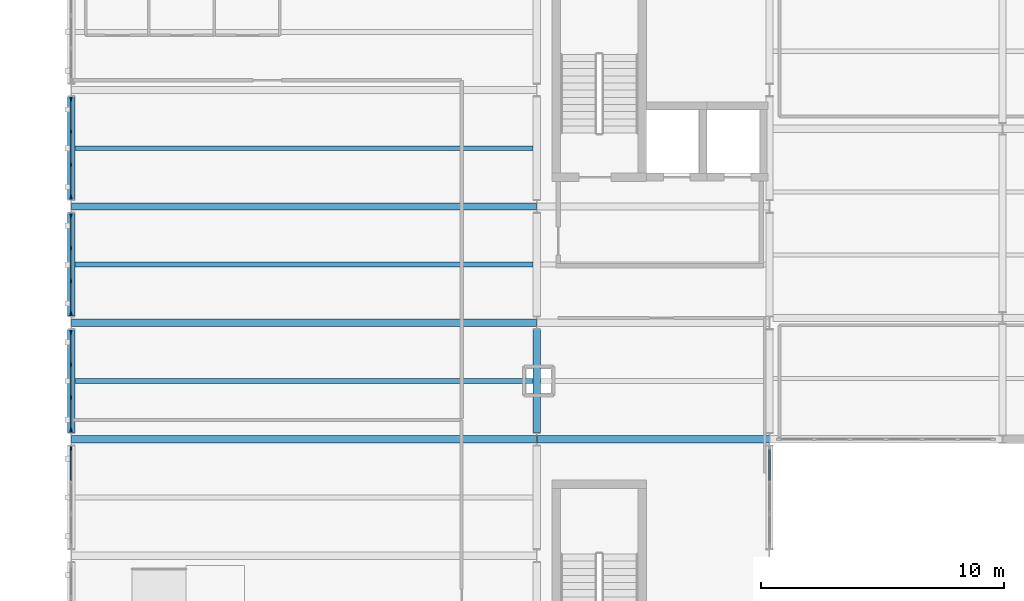
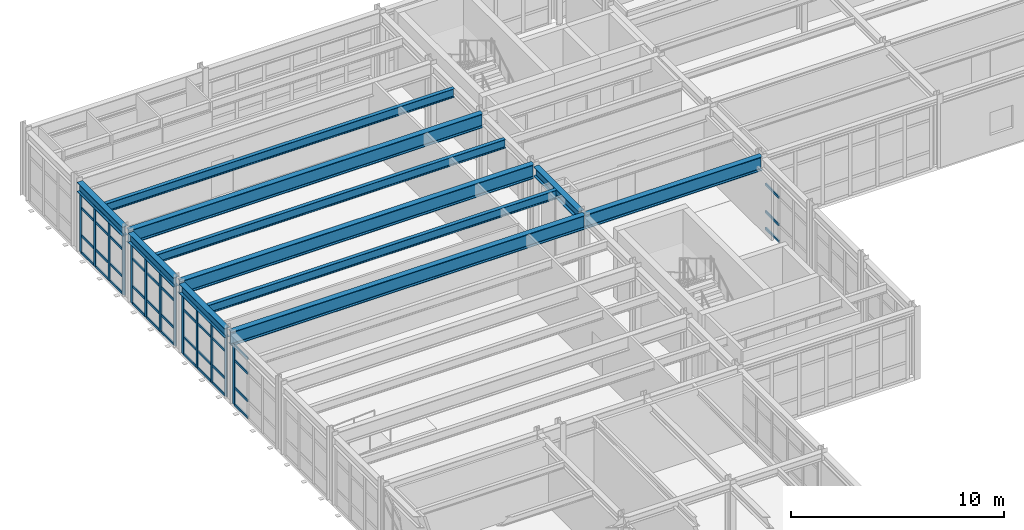
# One storey, part 30 of 76: 56 members, 11 beams, 5 elements without a shape of their own.
"""IFC4 building model written with IfcOpenShell, lengths in metres."""

import ifcopenshell
import ifcopenshell.guid

model = None  # the IFC model being written
_history = None  # IfcOwnerHistory: only IFC2X3 demands one
_inside = {}  # id of a spatial element -> (the spatial element, [elements in it])
_under = {}  # id of a project, library or spatial element -> (it, [spatial elements below it])
_declared = {}  # id of a project -> (the project, [libraries it declares])
_typed = {}  # id of a type object -> (the type object, [elements of that type])
_made_of = {}  # id of a material, layer set ... -> (it, [elements and type objects made of it])


def new_model(schema):
    """Start an empty IFC model of exactly this schema.

    Asked for "IFC4X3", IfcOpenShell would pick the latest addendum, in which some entities
    have other attributes; the version numbers below select the first issue.
    IFC2X3 requires an IfcOwnerHistory on every rooted entity: one is made here for all.
    """
    global model, _history
    if schema == "IFC4X3":
        model = ifcopenshell.file(schema_version=(4, 3, 0, 0))
    else:
        model = ifcopenshell.file(schema=schema)
    _inside.clear()
    _under.clear()
    _declared.clear()
    _typed.clear()
    _made_of.clear()
    _history = None
    if model.schema == "IFC2X3":
        org = make("IfcOrganization", Name="unknown")
        user = make(
            "IfcPersonAndOrganization",
            ThePerson=make("IfcPerson", FamilyName="unknown"),
            TheOrganization=org,
        )
        app = make(
            "IfcApplication",
            ApplicationDeveloper=org,
            Version="unknown",
            ApplicationFullName="unknown",
            ApplicationIdentifier="unknown",
        )
        _history = make(
            "IfcOwnerHistory",
            OwningUser=user,
            OwningApplication=app,
            ChangeAction="ADDED",
            CreationDate=0,
        )
    return model


def make(cls, **values):
    """One entity of the class cls with the attributes given. An attribute that is None is left unset."""
    return model.create_entity(
        cls, **{name: value for name, value in values.items() if value is not None}
    )


def rooted(cls, **values):
    """An entity with a GlobalId (a new one), such as an element, a storey or a relation."""
    return make(cls, GlobalId=ifcopenshell.guid.new(), OwnerHistory=_history, **values)


def si_unit(unit_type, name, prefix=None):
    """IfcSIUnit, for example si_unit("LENGTHUNIT", "METRE", prefix="MILLI")."""
    return make("IfcSIUnit", UnitType=unit_type, Prefix=prefix, Name=name)


def assignment(units):
    """IfcUnitAssignment: the units of a project."""
    return None if units is None else make("IfcUnitAssignment", Units=units)


def point(xyz):
    """IfcCartesianPoint."""
    return None if xyz is None else make("IfcCartesianPoint", Coordinates=xyz)


def direction(xyz):
    """IfcDirection."""
    return None if xyz is None else make("IfcDirection", DirectionRatios=xyz)


def frame(location, z_axis=None, x_axis=None):
    """IfcAxis2Placement3D, a coordinate frame: its origin and axes. An axis left out is left unset."""
    return make(
        "IfcAxis2Placement3D",
        Location=point(location),
        Axis=direction(z_axis),
        RefDirection=direction(x_axis),
    )


def frame_2d(location, x_axis=None):
    """IfcAxis2Placement2D, a coordinate frame in the plane: its origin and x axis."""
    return make(
        "IfcAxis2Placement2D", Location=point(location), RefDirection=direction(x_axis)
    )


def origin():
    """The frame at (0, 0, 0) with its axes left unset."""
    return frame((0.0, 0.0, 0.0))


def origin_2d():
    """The frame at (0, 0) in the plane with its x axis left unset."""
    return frame_2d((0.0, 0.0))


def place(relative_to, where):
    """IfcLocalPlacement: puts the frame where relative to a parent placement (None: the world)."""
    return make(
        "IfcLocalPlacement", PlacementRelTo=relative_to, RelativePlacement=where
    )


def context(
    kind, dimensions, precision=None, world=None, true_north=None, identifier=None
):
    """IfcGeometricRepresentationContext, for example the 3D "Model" context."""
    return make(
        "IfcGeometricRepresentationContext",
        ContextIdentifier=identifier,
        ContextType=kind,
        CoordinateSpaceDimension=dimensions,
        Precision=precision,
        WorldCoordinateSystem=world,
        TrueNorth=true_north,
    )


def subcontext(parent, identifier, kind, view, scale=None):
    """IfcGeometricRepresentationSubContext, for example "Body" below "Model"."""
    return make(
        "IfcGeometricRepresentationSubContext",
        ContextIdentifier=identifier,
        ContextType=kind,
        ParentContext=parent,
        TargetScale=scale,
        TargetView=view,
    )


def project(units=None, contexts=None):
    """IfcProject with its units and contexts."""
    return rooted(
        "IfcProject",
        Name="project",
        RepresentationContexts=contexts,
        UnitsInContext=assignment(units),
    )


def spatial(cls, under=None, at=None, **own):
    """A site, building, storey or space (cls), placed at a placement, below another one or the project."""
    s = rooted(cls, ObjectPlacement=at, **own)
    if under is not None:
        _under.setdefault(under.id(), (under, []))[1].append(s)
    return s


def profile(cls, at=None, kind="AREA", **sizes):
    """A parametric profile (cls). Its sizes go by their IFC names, for example OverallWidth=200.0."""
    return make(cls, ProfileType=kind, Position=at, **sizes)


def rectangle(**sizes):
    """IfcRectangleProfileDef."""
    return profile("IfcRectangleProfileDef", **sizes)


def i_section(**sizes):
    """IfcIShapeProfileDef."""
    return profile("IfcIShapeProfileDef", **sizes)


def extrude(swept, where, along, depth):
    """IfcExtrudedAreaSolid: the profile swept, set in the frame where, extruded along a direction by depth."""
    return make(
        "IfcExtrudedAreaSolid",
        SweptArea=swept,
        Position=where,
        ExtrudedDirection=direction(along),
        Depth=depth,
    )


def shape(context_of_items, identifier, shape_type, items):
    """IfcShapeRepresentation: the items that make up one representation, for example the "Body"."""
    return make(
        "IfcShapeRepresentation",
        ContextOfItems=context_of_items,
        RepresentationIdentifier=identifier,
        RepresentationType=shape_type,
        Items=items,
    )


def material(Name=None, Category=None):
    """IfcMaterial."""
    return make("IfcMaterial", Name=Name, Category=Category)


def layer(
    of_material, thickness, ventilated=None, Name=None, Category=None, Priority=None
):
    """IfcMaterialLayer: one layer of a wall or slab, of a material (None: an air gap)."""
    return make(
        "IfcMaterialLayer",
        Material=of_material,
        LayerThickness=thickness,
        IsVentilated=ventilated,
        Name=Name,
        Category=Category,
        Priority=Priority,
    )


def layer_set(layers, Name=None):
    """IfcMaterialLayerSet."""
    return make("IfcMaterialLayerSet", MaterialLayers=layers, LayerSetName=Name)


def material_profile(
    of_material, cross_section, Name=None, Category=None, Priority=None
):
    """IfcMaterialProfile: a cross section and its material."""
    return make(
        "IfcMaterialProfile",
        Name=Name,
        Material=of_material,
        Profile=cross_section,
        Priority=Priority,
        Category=Category,
    )


def profile_set(profiles, Name=None, composite=None):
    """IfcMaterialProfileSet."""
    return make(
        "IfcMaterialProfileSet",
        Name=Name,
        MaterialProfiles=profiles,
        CompositeProfile=composite,
    )


def made_of(thing, what):
    """Note that an element or type object is made of a material, layer set ...; save() writes the relation."""
    if what is not None:
        _made_of.setdefault(what.id(), (what, []))[1].append(thing)
    return thing


def type_object(cls, material=None, **own):
    """A type object (cls), such as IfcWallType, which elements share."""
    return made_of(rooted(cls, **own), material)


def element(
    cls,
    number,
    at=None,
    inside=None,
    cuts=None,
    type_object=None,
    material=None,
    context=None,
    identifier="Body",
    shape_type=None,
    held_by="IfcProductDefinitionShape",
    body=None,
    shapes=None,
    **own,
):
    """One element of the class cls, such as IfcWall. Its Tag is "e" and its number.

    at: its placement. inside: the storey or other place that contains it. cuts: it is an
    opening in that element (IfcRelVoidsElement). A single representation is given by context,
    identifier, shape_type and body (its items); several are given by shapes. held_by: the class
    of the entity that holds the representations. save() writes the other relations.
    """
    e = rooted(cls, Tag="e%d" % number, ObjectPlacement=at, **own)
    if body is not None:
        shapes = [shape(context, identifier, shape_type, body)]
    if shapes is not None:
        e.Representation = make(held_by, Representations=shapes)
    if inside is not None:
        _inside.setdefault(inside.id(), (inside, []))[1].append(e)
    if cuts is not None:
        rooted(
            "IfcRelVoidsElement", RelatingBuildingElement=cuts, RelatedOpeningElement=e
        )
    if type_object is not None:
        _typed.setdefault(type_object.id(), (type_object, []))[1].append(e)
    return made_of(e, material)


def aggregate(whole, parts):
    """IfcRelAggregates: a whole, such as a stair, and the parts it consists of."""
    return rooted("IfcRelAggregates", RelatingObject=whole, RelatedObjects=parts)


def save(model, path):
    """Write the relations noted so far, then the file.

    IfcRelAggregates (storeys below a building ...), IfcRelContainedInSpatialStructure (elements
    in a storey), IfcRelDefinesByType, IfcRelAssociatesMaterial and IfcRelDeclares: one each for
    every whole, place, type object, material and project.
    """
    for whole, parts in _under.values():
        aggregate(whole, parts)
    for where, things in _inside.values():
        rooted(
            "IfcRelContainedInSpatialStructure",
            RelatedElements=things,
            RelatingStructure=where,
        )
    for kind, things in _typed.values():
        rooted("IfcRelDefinesByType", RelatedObjects=things, RelatingType=kind)
    for what, things in _made_of.values():
        rooted("IfcRelAssociatesMaterial", RelatedObjects=things, RelatingMaterial=what)
    for by, libraries in _declared.values():
        rooted("IfcRelDeclares", RelatingContext=by, RelatedDefinitions=libraries)
    model.write(path)


model = new_model("IFC4")

# Units and contexts
model_context = context("Model", 3, precision=1e-05, world=origin(), true_north=direction((0.0, 1.0)))
body_context = subcontext(model_context, "Body", "Model", "MODEL_VIEW")
ifc_project = project(units=[si_unit("LENGTHUNIT", "METRE"), si_unit("AREAUNIT", "SQUARE_METRE"), si_unit("VOLUMEUNIT", "CUBIC_METRE"), si_unit("PLANEANGLEUNIT", "RADIAN"), si_unit("MASSUNIT", "GRAM", prefix="KILO")], contexts=[model_context])

# Site, building, storey
site_placement = place(None, origin())
site = spatial("IfcSite", under=ifc_project, at=site_placement, CompositionType="ELEMENT")
building_placement = place(site_placement, origin())
building = spatial("IfcBuilding", under=site, at=building_placement, Name="Nordkorset Police Headquarters", CompositionType="ELEMENT")
storey_placement = place(building_placement, frame((0.0, 0.0, 13.64990234375)))
storey = spatial("IfcBuildingStorey", under=building, at=storey_placement, Name="L03", CompositionType="ELEMENT", Elevation=13.64990234375)

# Beams
ifc_material_1 = material(Name="Steel S355J2", Category="steel")
ifc_material_profile_1 = material_profile(ifc_material_1, i_section(OverallWidth=0.199951171875, OverallDepth=0.5, WebThickness=0.01025390625, FlangeThickness=0.01611328125, FilletRadius=0.02099609375, at=origin_2d()), Name="IPE 500")
ifc_profile_set_1 = profile_set([ifc_material_profile_1], Name="Steel S355J2")
beam_type_1 = type_object("IfcBeamType", Name="Beam_IPE_500", PredefinedType="BEAM", material=ifc_profile_set_1)
for number, where, z_axis, x_axis, name in (
    (1, (0.14990234375, 100.0, 3.72998046875), (1.0, 0.0, 0.0), (0.0, 1.0, 0.0), "Composite Floor Beam V1 L03 0-3-1"),
    (2, (0.14990234375, 104.800048828125, 3.72998046875), (1.0, 0.0, 0.0), (0.0, 1.0, 0.0), "Composite Floor Beam V1 L03 0-4-1"),
    (3, (0.14990234375, 109.60009765625, 3.72998046875), (1.0, 0.0, 0.0), (0.0, 1.0, 0.0), "Composite Floor Beam V1 L03 0-5-1"),
):
    element("IfcBeam", number, at=place(storey_placement, frame(where, z_axis=z_axis, x_axis=x_axis)), inside=storey, type_object=beam_type_1, Name=name, PredefinedType="BEAM", context=body_context, shape_type="SweptSolid", body=[
        extrude(i_section(OverallWidth=0.199951171875, OverallDepth=0.5, WebThickness=0.01025390625, FlangeThickness=0.01611328125, FilletRadius=0.02099609375, at=origin_2d()), origin(), (0.0, 0.0, 1.0), 18.900146484375),
    ])

# Curtain wall, member
ifc_material_2 = material(Name="Aluminium alloy AW-6060", Category="aluminium")
ifc_layer = layer(ifc_material_2, 0.179931640625, Name="Aluminium alloy AW-6060")
ifc_layer_set = layer_set([ifc_layer], Name="Aluminium alloy AW-6060")
curtain_wall_type = type_object("IfcCurtainWallType", Name="CW_Unit_408x342", PredefinedType="USERDEFINED", material=ifc_layer_set)
curtain_wall_1_placement = place(storey_placement, origin())
curtain_wall_1 = element("IfcCurtainWall", 4, at=curtain_wall_1_placement, inside=storey, type_object=curtain_wall_type, Name="Unitised Curtain Wall L03 V1W-2", ObjectType="UNITISED CURTAIN WALL", PredefinedType="USERDEFINED")
ifc_material_3 = material(Name="Aluminium alloy AW-6060", Category="aluminium")
ifc_material_profile_2 = material_profile(ifc_material_3, rectangle(XDim=0.06494140625, YDim=0.179931640625, at=origin_2d()), Name="ALU MULL 65x180")
ifc_profile_set_2 = profile_set([ifc_material_profile_2], Name="Aluminium alloy AW-6060")
member_type_1 = type_object("IfcMemberType", Name="CW_Mullion_65x180", PredefinedType="MULLION", material=ifc_profile_set_2)
member_1_placement = place(storey_placement, frame((0.0, 97.20751953125, 0.0), z_axis=(0.0, 0.0, 1.0), x_axis=(-1.0, 0.0, 0.0)))
member_1 = element("IfcMember", 5, at=member_1_placement, type_object=member_type_1, Name="CW-72 mullion 4", PredefinedType="MULLION", context=body_context, shape_type="SweptSolid", body=[
    extrude(rectangle(XDim=0.06494140625, YDim=0.179931640625, at=origin_2d()), origin(), (0.0, 0.0, 1.0), 3.420166015625),
])

# Curtain wall, members
curtain_wall_2_placement = place(storey_placement, origin())
curtain_wall_2 = element("IfcCurtainWall", 6, at=curtain_wall_2_placement, inside=storey, type_object=curtain_wall_type, Name="Unitised Curtain Wall L03 V1W-3", ObjectType="UNITISED CURTAIN WALL", PredefinedType="USERDEFINED")
member_2_placement = place(storey_placement, frame((0.0, 97.992431640625, 0.0), z_axis=(0.0, 0.0, 1.0), x_axis=(-1.0, 0.0, 0.0)))
member_2 = element("IfcMember", 7, at=member_2_placement, type_object=member_type_1, Name="CW-72 mullion 1", PredefinedType="MULLION", context=body_context, shape_type="SweptSolid", body=[
    extrude(rectangle(XDim=0.06494140625, YDim=0.179931640625, at=origin_2d()), origin(), (0.0, 0.0, 1.0), 3.420166015625),
])
member_3_placement = place(storey_placement, frame((0.0, 99.320068359375, 0.0), z_axis=(0.0, 0.0, 1.0), x_axis=(-1.0, 0.0, 0.0)))
member_3 = element("IfcMember", 8, at=member_3_placement, type_object=member_type_1, Name="CW-72 mullion 2", PredefinedType="MULLION", context=body_context, shape_type="SweptSolid", body=[
    extrude(rectangle(XDim=0.06494140625, YDim=0.179931640625, at=origin_2d()), origin(), (0.0, 0.0, 1.0), 3.420166015625),
])
member_4_placement = place(storey_placement, frame((0.0, 100.679931640625, 0.0), z_axis=(0.0, 0.0, 1.0), x_axis=(-1.0, 0.0, 0.0)))
member_4 = element("IfcMember", 9, at=member_4_placement, type_object=member_type_1, Name="CW-72 mullion 3", PredefinedType="MULLION", context=body_context, shape_type="SweptSolid", body=[
    extrude(rectangle(XDim=0.06494140625, YDim=0.179931640625, at=origin_2d()), origin(), (0.0, 0.0, 1.0), 3.420166015625),
])
member_5_placement = place(storey_placement, frame((0.0, 102.007568359375, 0.0), z_axis=(0.0, 0.0, 1.0), x_axis=(-1.0, 0.0, 0.0)))
member_5 = element("IfcMember", 10, at=member_5_placement, type_object=member_type_1, Name="CW-72 mullion 4", PredefinedType="MULLION", context=body_context, shape_type="SweptSolid", body=[
    extrude(rectangle(XDim=0.06494140625, YDim=0.179931640625, at=origin_2d()), origin(), (0.0, 0.0, 1.0), 3.420166015625),
])

curtain_wall_3_placement = place(storey_placement, origin())
curtain_wall_3 = element("IfcCurtainWall", 11, at=curtain_wall_3_placement, inside=storey, type_object=curtain_wall_type, Name="Unitised Curtain Wall L03 V1W-4", ObjectType="UNITISED CURTAIN WALL", PredefinedType="USERDEFINED")
member_6_placement = place(storey_placement, frame((0.0, 102.79248046875, 0.0), z_axis=(0.0, 0.0, 1.0), x_axis=(-1.0, 0.0, 0.0)))
member_6 = element("IfcMember", 12, at=member_6_placement, type_object=member_type_1, Name="CW-72 mullion 1", PredefinedType="MULLION", context=body_context, shape_type="SweptSolid", body=[
    extrude(rectangle(XDim=0.06494140625, YDim=0.179931640625, at=origin_2d()), origin(), (0.0, 0.0, 1.0), 3.420166015625),
])
member_7_placement = place(storey_placement, frame((0.0, 104.1201171875, 0.0), z_axis=(0.0, 0.0, 1.0), x_axis=(-1.0, 0.0, 0.0)))
member_7 = element("IfcMember", 13, at=member_7_placement, type_object=member_type_1, Name="CW-72 mullion 2", PredefinedType="MULLION", context=body_context, shape_type="SweptSolid", body=[
    extrude(rectangle(XDim=0.06494140625, YDim=0.179931640625, at=origin_2d()), origin(), (0.0, 0.0, 1.0), 3.420166015625),
])
member_8_placement = place(storey_placement, frame((0.0, 105.47998046875, 0.0), z_axis=(0.0, 0.0, 1.0), x_axis=(-1.0, 0.0, 0.0)))
member_8 = element("IfcMember", 14, at=member_8_placement, type_object=member_type_1, Name="CW-72 mullion 3", PredefinedType="MULLION", context=body_context, shape_type="SweptSolid", body=[
    extrude(rectangle(XDim=0.06494140625, YDim=0.179931640625, at=origin_2d()), origin(), (0.0, 0.0, 1.0), 3.420166015625),
])
member_9_placement = place(storey_placement, frame((0.0, 106.8076171875, 0.0), z_axis=(0.0, 0.0, 1.0), x_axis=(-1.0, 0.0, 0.0)))
member_9 = element("IfcMember", 15, at=member_9_placement, type_object=member_type_1, Name="CW-72 mullion 4", PredefinedType="MULLION", context=body_context, shape_type="SweptSolid", body=[
    extrude(rectangle(XDim=0.06494140625, YDim=0.179931640625, at=origin_2d()), origin(), (0.0, 0.0, 1.0), 3.420166015625),
])

curtain_wall_4_placement = place(storey_placement, origin())
curtain_wall_4 = element("IfcCurtainWall", 16, at=curtain_wall_4_placement, inside=storey, type_object=curtain_wall_type, Name="Unitised Curtain Wall L03 V1W-5", ObjectType="UNITISED CURTAIN WALL", PredefinedType="USERDEFINED")
member_10_placement = place(storey_placement, frame((0.0, 107.592529296875, 0.0), z_axis=(0.0, 0.0, 1.0), x_axis=(-1.0, 0.0, 0.0)))
member_10 = element("IfcMember", 17, at=member_10_placement, type_object=member_type_1, Name="CW-72 mullion 1", PredefinedType="MULLION", context=body_context, shape_type="SweptSolid", body=[
    extrude(rectangle(XDim=0.06494140625, YDim=0.179931640625, at=origin_2d()), origin(), (0.0, 0.0, 1.0), 3.420166015625),
])
member_11_placement = place(storey_placement, frame((0.0, 108.919921875, 0.0), z_axis=(0.0, 0.0, 1.0), x_axis=(-1.0, 0.0, 0.0)))
member_11 = element("IfcMember", 18, at=member_11_placement, type_object=member_type_1, Name="CW-72 mullion 2", PredefinedType="MULLION", context=body_context, shape_type="SweptSolid", body=[
    extrude(rectangle(XDim=0.06494140625, YDim=0.179931640625, at=origin_2d()), origin(), (0.0, 0.0, 1.0), 3.420166015625),
])
member_12_placement = place(storey_placement, frame((0.0, 110.280029296875, 0.0), z_axis=(0.0, 0.0, 1.0), x_axis=(-1.0, 0.0, 0.0)))
member_12 = element("IfcMember", 19, at=member_12_placement, type_object=member_type_1, Name="CW-72 mullion 3", PredefinedType="MULLION", context=body_context, shape_type="SweptSolid", body=[
    extrude(rectangle(XDim=0.06494140625, YDim=0.179931640625, at=origin_2d()), origin(), (0.0, 0.0, 1.0), 3.420166015625),
])
member_13_placement = place(storey_placement, frame((0.0, 111.607421875, 0.0), z_axis=(0.0, 0.0, 1.0), x_axis=(-1.0, 0.0, 0.0)))
member_13 = element("IfcMember", 20, at=member_13_placement, type_object=member_type_1, Name="CW-72 mullion 4", PredefinedType="MULLION", context=body_context, shape_type="SweptSolid", body=[
    extrude(rectangle(XDim=0.06494140625, YDim=0.179931640625, at=origin_2d()), origin(), (0.0, 0.0, 1.0), 3.420166015625),
])

# Member
ifc_material_4 = material(Name="Aluminium alloy AW-6060", Category="aluminium")
ifc_material_profile_3 = material_profile(ifc_material_4, rectangle(XDim=0.06494140625, YDim=0.139892578125, at=origin_2d()), Name="ALU TRAN 65x140")
ifc_profile_set_3 = profile_set([ifc_material_profile_3], Name="Aluminium alloy AW-6060")
member_type_2 = type_object("IfcMemberType", Name="CW_Transom_65x140", PredefinedType="USERDEFINED", material=ifc_profile_set_3)
member_14_placement = place(storey_placement, frame((0.0, 95.91259765625, 0.03271484375), z_axis=(0.0, 1.0, 0.0), x_axis=(-1.0, 0.0, 0.0)))
member_14 = element("IfcMember", 21, at=member_14_placement, type_object=member_type_2, Name="CW-72 transom 3.1", ObjectType="TRANSOM", PredefinedType="USERDEFINED", context=body_context, shape_type="SweptSolid", body=[
    extrude(rectangle(XDim=0.06494140625, YDim=0.139892578125, at=origin_2d()), origin(), (0.0, 0.0, 1.0), 1.262451171875),
])

member_15_placement = place(storey_placement, frame((0.0, 95.91259765625, 1.0), z_axis=(0.0, 1.0, 0.0), x_axis=(-1.0, 0.0, 0.0)))
member_15 = element("IfcMember", 22, at=member_15_placement, type_object=member_type_2, Name="CW-72 transom 3.2", ObjectType="TRANSOM", PredefinedType="USERDEFINED", context=body_context, shape_type="SweptSolid", body=[
    extrude(rectangle(XDim=0.06494140625, YDim=0.139892578125, at=origin_2d()), origin(), (0.0, 0.0, 1.0), 1.262451171875),
])

member_16_placement = place(storey_placement, frame((0.0, 95.91259765625, 2.570068359375), z_axis=(0.0, 1.0, 0.0), x_axis=(-1.0, 0.0, 0.0)))
member_16 = element("IfcMember", 23, at=member_16_placement, type_object=member_type_2, Name="CW-72 transom 3.3", ObjectType="TRANSOM", PredefinedType="USERDEFINED", context=body_context, shape_type="SweptSolid", body=[
    extrude(rectangle(XDim=0.06494140625, YDim=0.139892578125, at=origin_2d()), origin(), (0.0, 0.0, 1.0), 1.262451171875),
])

member_17_placement = place(storey_placement, frame((0.0, 95.91259765625, 3.3876953125), z_axis=(0.0, 1.0, 0.0), x_axis=(-1.0, 0.0, 0.0)))
member_17 = element("IfcMember", 24, at=member_17_placement, type_object=member_type_2, Name="CW-72 transom 3.4", ObjectType="TRANSOM", PredefinedType="USERDEFINED", context=body_context, shape_type="SweptSolid", body=[
    extrude(rectangle(XDim=0.06494140625, YDim=0.139892578125, at=origin_2d()), origin(), (0.0, 0.0, 1.0), 1.262451171875),
])

aggregate(curtain_wall_1, [member_1, member_14, member_15, member_16, member_17])

member_18_placement = place(storey_placement, frame((0.0, 98.02490234375, 0.03271484375), z_axis=(0.0, 1.0, 0.0), x_axis=(-1.0, 0.0, 0.0)))
member_18 = element("IfcMember", 25, at=member_18_placement, type_object=member_type_2, Name="CW-72 transom 1.1", ObjectType="TRANSOM", PredefinedType="USERDEFINED", context=body_context, shape_type="SweptSolid", body=[
    extrude(rectangle(XDim=0.06494140625, YDim=0.139892578125, at=origin_2d()), origin(), (0.0, 0.0, 1.0), 1.2626953125),
])

member_19_placement = place(storey_placement, frame((0.0, 98.02490234375, 1.0), z_axis=(0.0, 1.0, 0.0), x_axis=(-1.0, 0.0, 0.0)))
member_19 = element("IfcMember", 26, at=member_19_placement, type_object=member_type_2, Name="CW-72 transom 1.2", ObjectType="TRANSOM", PredefinedType="USERDEFINED", context=body_context, shape_type="SweptSolid", body=[
    extrude(rectangle(XDim=0.06494140625, YDim=0.139892578125, at=origin_2d()), origin(), (0.0, 0.0, 1.0), 1.2626953125),
])

member_20_placement = place(storey_placement, frame((0.0, 98.02490234375, 2.570068359375), z_axis=(0.0, 1.0, 0.0), x_axis=(-1.0, 0.0, 0.0)))
member_20 = element("IfcMember", 27, at=member_20_placement, type_object=member_type_2, Name="CW-72 transom 1.3", ObjectType="TRANSOM", PredefinedType="USERDEFINED", context=body_context, shape_type="SweptSolid", body=[
    extrude(rectangle(XDim=0.06494140625, YDim=0.139892578125, at=origin_2d()), origin(), (0.0, 0.0, 1.0), 1.2626953125),
])

member_21_placement = place(storey_placement, frame((0.0, 98.02490234375, 3.3876953125), z_axis=(0.0, 1.0, 0.0), x_axis=(-1.0, 0.0, 0.0)))
member_21 = element("IfcMember", 28, at=member_21_placement, type_object=member_type_2, Name="CW-72 transom 1.4", ObjectType="TRANSOM", PredefinedType="USERDEFINED", context=body_context, shape_type="SweptSolid", body=[
    extrude(rectangle(XDim=0.06494140625, YDim=0.139892578125, at=origin_2d()), origin(), (0.0, 0.0, 1.0), 1.2626953125),
])

member_22_placement = place(storey_placement, frame((0.0, 99.3525390625, 0.03271484375), z_axis=(0.0, 1.0, 0.0), x_axis=(-1.0, 0.0, 0.0)))
member_22 = element("IfcMember", 29, at=member_22_placement, type_object=member_type_2, Name="CW-72 transom 2.1", ObjectType="TRANSOM", PredefinedType="USERDEFINED", context=body_context, shape_type="SweptSolid", body=[
    extrude(rectangle(XDim=0.06494140625, YDim=0.139892578125, at=origin_2d()), origin(), (0.0, 0.0, 1.0), 1.294921875),
])

member_23_placement = place(storey_placement, frame((0.0, 99.3525390625, 1.0), z_axis=(0.0, 1.0, 0.0), x_axis=(-1.0, 0.0, 0.0)))
member_23 = element("IfcMember", 30, at=member_23_placement, type_object=member_type_2, Name="CW-72 transom 2.2", ObjectType="TRANSOM", PredefinedType="USERDEFINED", context=body_context, shape_type="SweptSolid", body=[
    extrude(rectangle(XDim=0.06494140625, YDim=0.139892578125, at=origin_2d()), origin(), (0.0, 0.0, 1.0), 1.294921875),
])

member_24_placement = place(storey_placement, frame((0.0, 99.3525390625, 2.570068359375), z_axis=(0.0, 1.0, 0.0), x_axis=(-1.0, 0.0, 0.0)))
member_24 = element("IfcMember", 31, at=member_24_placement, type_object=member_type_2, Name="CW-72 transom 2.3", ObjectType="TRANSOM", PredefinedType="USERDEFINED", context=body_context, shape_type="SweptSolid", body=[
    extrude(rectangle(XDim=0.06494140625, YDim=0.139892578125, at=origin_2d()), origin(), (0.0, 0.0, 1.0), 1.294921875),
])

member_25_placement = place(storey_placement, frame((0.0, 99.3525390625, 3.3876953125), z_axis=(0.0, 1.0, 0.0), x_axis=(-1.0, 0.0, 0.0)))
member_25 = element("IfcMember", 32, at=member_25_placement, type_object=member_type_2, Name="CW-72 transom 2.4", ObjectType="TRANSOM", PredefinedType="USERDEFINED", context=body_context, shape_type="SweptSolid", body=[
    extrude(rectangle(XDim=0.06494140625, YDim=0.139892578125, at=origin_2d()), origin(), (0.0, 0.0, 1.0), 1.294921875),
])

member_26_placement = place(storey_placement, frame((0.0, 100.71240234375, 0.03271484375), z_axis=(0.0, 1.0, 0.0), x_axis=(-1.0, 0.0, 0.0)))
member_26 = element("IfcMember", 33, at=member_26_placement, type_object=member_type_2, Name="CW-72 transom 3.1", ObjectType="TRANSOM", PredefinedType="USERDEFINED", context=body_context, shape_type="SweptSolid", body=[
    extrude(rectangle(XDim=0.06494140625, YDim=0.139892578125, at=origin_2d()), origin(), (0.0, 0.0, 1.0), 1.2626953125),
])

member_27_placement = place(storey_placement, frame((0.0, 100.71240234375, 1.0), z_axis=(0.0, 1.0, 0.0), x_axis=(-1.0, 0.0, 0.0)))
member_27 = element("IfcMember", 34, at=member_27_placement, type_object=member_type_2, Name="CW-72 transom 3.2", ObjectType="TRANSOM", PredefinedType="USERDEFINED", context=body_context, shape_type="SweptSolid", body=[
    extrude(rectangle(XDim=0.06494140625, YDim=0.139892578125, at=origin_2d()), origin(), (0.0, 0.0, 1.0), 1.2626953125),
])

member_28_placement = place(storey_placement, frame((0.0, 100.71240234375, 2.570068359375), z_axis=(0.0, 1.0, 0.0), x_axis=(-1.0, 0.0, 0.0)))
member_28 = element("IfcMember", 35, at=member_28_placement, type_object=member_type_2, Name="CW-72 transom 3.3", ObjectType="TRANSOM", PredefinedType="USERDEFINED", context=body_context, shape_type="SweptSolid", body=[
    extrude(rectangle(XDim=0.06494140625, YDim=0.139892578125, at=origin_2d()), origin(), (0.0, 0.0, 1.0), 1.2626953125),
])

member_29_placement = place(storey_placement, frame((0.0, 100.71240234375, 3.3876953125), z_axis=(0.0, 1.0, 0.0), x_axis=(-1.0, 0.0, 0.0)))
member_29 = element("IfcMember", 36, at=member_29_placement, type_object=member_type_2, Name="CW-72 transom 3.4", ObjectType="TRANSOM", PredefinedType="USERDEFINED", context=body_context, shape_type="SweptSolid", body=[
    extrude(rectangle(XDim=0.06494140625, YDim=0.139892578125, at=origin_2d()), origin(), (0.0, 0.0, 1.0), 1.2626953125),
])

aggregate(curtain_wall_2, [member_2, member_3, member_4, member_5, member_18, member_19, member_20, member_21, member_22, member_23, member_24, member_25, member_26, member_27, member_28, member_29])

member_30_placement = place(storey_placement, frame((0.0, 102.824951171875, 0.03271484375), z_axis=(0.0, 1.0, 0.0), x_axis=(-1.0, 0.0, 0.0)))
member_30 = element("IfcMember", 37, at=member_30_placement, type_object=member_type_2, Name="CW-72 transom 1.1", ObjectType="TRANSOM", PredefinedType="USERDEFINED", context=body_context, shape_type="SweptSolid", body=[
    extrude(rectangle(XDim=0.06494140625, YDim=0.139892578125, at=origin_2d()), origin(), (0.0, 0.0, 1.0), 1.262451171875),
])

member_31_placement = place(storey_placement, frame((0.0, 102.824951171875, 1.0), z_axis=(0.0, 1.0, 0.0), x_axis=(-1.0, 0.0, 0.0)))
member_31 = element("IfcMember", 38, at=member_31_placement, type_object=member_type_2, Name="CW-72 transom 1.2", ObjectType="TRANSOM", PredefinedType="USERDEFINED", context=body_context, shape_type="SweptSolid", body=[
    extrude(rectangle(XDim=0.06494140625, YDim=0.139892578125, at=origin_2d()), origin(), (0.0, 0.0, 1.0), 1.262451171875),
])

member_32_placement = place(storey_placement, frame((0.0, 102.824951171875, 2.570068359375), z_axis=(0.0, 1.0, 0.0), x_axis=(-1.0, 0.0, 0.0)))
member_32 = element("IfcMember", 39, at=member_32_placement, type_object=member_type_2, Name="CW-72 transom 1.3", ObjectType="TRANSOM", PredefinedType="USERDEFINED", context=body_context, shape_type="SweptSolid", body=[
    extrude(rectangle(XDim=0.06494140625, YDim=0.139892578125, at=origin_2d()), origin(), (0.0, 0.0, 1.0), 1.262451171875),
])

member_33_placement = place(storey_placement, frame((0.0, 102.824951171875, 3.3876953125), z_axis=(0.0, 1.0, 0.0), x_axis=(-1.0, 0.0, 0.0)))
member_33 = element("IfcMember", 40, at=member_33_placement, type_object=member_type_2, Name="CW-72 transom 1.4", ObjectType="TRANSOM", PredefinedType="USERDEFINED", context=body_context, shape_type="SweptSolid", body=[
    extrude(rectangle(XDim=0.06494140625, YDim=0.139892578125, at=origin_2d()), origin(), (0.0, 0.0, 1.0), 1.262451171875),
])

member_34_placement = place(storey_placement, frame((0.0, 104.152587890625, 0.03271484375), z_axis=(0.0, 1.0, 0.0), x_axis=(-1.0, 0.0, 0.0)))
member_34 = element("IfcMember", 41, at=member_34_placement, type_object=member_type_2, Name="CW-72 transom 2.1", ObjectType="TRANSOM", PredefinedType="USERDEFINED", context=body_context, shape_type="SweptSolid", body=[
    extrude(rectangle(XDim=0.06494140625, YDim=0.139892578125, at=origin_2d()), origin(), (0.0, 0.0, 1.0), 1.294921875),
])

member_35_placement = place(storey_placement, frame((0.0, 104.152587890625, 1.0), z_axis=(0.0, 1.0, 0.0), x_axis=(-1.0, 0.0, 0.0)))
member_35 = element("IfcMember", 42, at=member_35_placement, type_object=member_type_2, Name="CW-72 transom 2.2", ObjectType="TRANSOM", PredefinedType="USERDEFINED", context=body_context, shape_type="SweptSolid", body=[
    extrude(rectangle(XDim=0.06494140625, YDim=0.139892578125, at=origin_2d()), origin(), (0.0, 0.0, 1.0), 1.294921875),
])

member_36_placement = place(storey_placement, frame((0.0, 104.152587890625, 2.570068359375), z_axis=(0.0, 1.0, 0.0), x_axis=(-1.0, 0.0, 0.0)))
member_36 = element("IfcMember", 43, at=member_36_placement, type_object=member_type_2, Name="CW-72 transom 2.3", ObjectType="TRANSOM", PredefinedType="USERDEFINED", context=body_context, shape_type="SweptSolid", body=[
    extrude(rectangle(XDim=0.06494140625, YDim=0.139892578125, at=origin_2d()), origin(), (0.0, 0.0, 1.0), 1.294921875),
])

member_37_placement = place(storey_placement, frame((0.0, 104.152587890625, 3.3876953125), z_axis=(0.0, 1.0, 0.0), x_axis=(-1.0, 0.0, 0.0)))
member_37 = element("IfcMember", 44, at=member_37_placement, type_object=member_type_2, Name="CW-72 transom 2.4", ObjectType="TRANSOM", PredefinedType="USERDEFINED", context=body_context, shape_type="SweptSolid", body=[
    extrude(rectangle(XDim=0.06494140625, YDim=0.139892578125, at=origin_2d()), origin(), (0.0, 0.0, 1.0), 1.294921875),
])

member_38_placement = place(storey_placement, frame((0.0, 105.512451171875, 0.03271484375), z_axis=(0.0, 1.0, 0.0), x_axis=(-1.0, 0.0, 0.0)))
member_38 = element("IfcMember", 45, at=member_38_placement, type_object=member_type_2, Name="CW-72 transom 3.1", ObjectType="TRANSOM", PredefinedType="USERDEFINED", context=body_context, shape_type="SweptSolid", body=[
    extrude(rectangle(XDim=0.06494140625, YDim=0.139892578125, at=origin_2d()), origin(), (0.0, 0.0, 1.0), 1.262451171875),
])

member_39_placement = place(storey_placement, frame((0.0, 105.512451171875, 1.0), z_axis=(0.0, 1.0, 0.0), x_axis=(-1.0, 0.0, 0.0)))
member_39 = element("IfcMember", 46, at=member_39_placement, type_object=member_type_2, Name="CW-72 transom 3.2", ObjectType="TRANSOM", PredefinedType="USERDEFINED", context=body_context, shape_type="SweptSolid", body=[
    extrude(rectangle(XDim=0.06494140625, YDim=0.139892578125, at=origin_2d()), origin(), (0.0, 0.0, 1.0), 1.262451171875),
])

member_40_placement = place(storey_placement, frame((0.0, 105.512451171875, 2.570068359375), z_axis=(0.0, 1.0, 0.0), x_axis=(-1.0, 0.0, 0.0)))
member_40 = element("IfcMember", 47, at=member_40_placement, type_object=member_type_2, Name="CW-72 transom 3.3", ObjectType="TRANSOM", PredefinedType="USERDEFINED", context=body_context, shape_type="SweptSolid", body=[
    extrude(rectangle(XDim=0.06494140625, YDim=0.139892578125, at=origin_2d()), origin(), (0.0, 0.0, 1.0), 1.262451171875),
])

member_41_placement = place(storey_placement, frame((0.0, 105.512451171875, 3.3876953125), z_axis=(0.0, 1.0, 0.0), x_axis=(-1.0, 0.0, 0.0)))
member_41 = element("IfcMember", 48, at=member_41_placement, type_object=member_type_2, Name="CW-72 transom 3.4", ObjectType="TRANSOM", PredefinedType="USERDEFINED", context=body_context, shape_type="SweptSolid", body=[
    extrude(rectangle(XDim=0.06494140625, YDim=0.139892578125, at=origin_2d()), origin(), (0.0, 0.0, 1.0), 1.262451171875),
])

aggregate(curtain_wall_3, [member_6, member_7, member_8, member_9, member_30, member_31, member_32, member_33, member_34, member_35, member_36, member_37, member_38, member_39, member_40, member_41])

member_42_placement = place(storey_placement, frame((0.0, 107.625, 0.03271484375), z_axis=(0.0, 1.0, 0.0), x_axis=(-1.0, 0.0, 0.0)))
member_42 = element("IfcMember", 49, at=member_42_placement, type_object=member_type_2, Name="CW-72 transom 1.1", ObjectType="TRANSOM", PredefinedType="USERDEFINED", context=body_context, shape_type="SweptSolid", body=[
    extrude(rectangle(XDim=0.06494140625, YDim=0.139892578125, at=origin_2d()), origin(), (0.0, 0.0, 1.0), 1.262451171875),
])

member_43_placement = place(storey_placement, frame((0.0, 107.625, 1.0), z_axis=(0.0, 1.0, 0.0), x_axis=(-1.0, 0.0, 0.0)))
member_43 = element("IfcMember", 50, at=member_43_placement, type_object=member_type_2, Name="CW-72 transom 1.2", ObjectType="TRANSOM", PredefinedType="USERDEFINED", context=body_context, shape_type="SweptSolid", body=[
    extrude(rectangle(XDim=0.06494140625, YDim=0.139892578125, at=origin_2d()), origin(), (0.0, 0.0, 1.0), 1.262451171875),
])

member_44_placement = place(storey_placement, frame((0.0, 107.625, 2.570068359375), z_axis=(0.0, 1.0, 0.0), x_axis=(-1.0, 0.0, 0.0)))
member_44 = element("IfcMember", 51, at=member_44_placement, type_object=member_type_2, Name="CW-72 transom 1.3", ObjectType="TRANSOM", PredefinedType="USERDEFINED", context=body_context, shape_type="SweptSolid", body=[
    extrude(rectangle(XDim=0.06494140625, YDim=0.139892578125, at=origin_2d()), origin(), (0.0, 0.0, 1.0), 1.262451171875),
])

member_45_placement = place(storey_placement, frame((0.0, 107.625, 3.3876953125), z_axis=(0.0, 1.0, 0.0), x_axis=(-1.0, 0.0, 0.0)))
member_45 = element("IfcMember", 52, at=member_45_placement, type_object=member_type_2, Name="CW-72 transom 1.4", ObjectType="TRANSOM", PredefinedType="USERDEFINED", context=body_context, shape_type="SweptSolid", body=[
    extrude(rectangle(XDim=0.06494140625, YDim=0.139892578125, at=origin_2d()), origin(), (0.0, 0.0, 1.0), 1.262451171875),
])

member_46_placement = place(storey_placement, frame((0.0, 108.952392578125, 0.03271484375), z_axis=(0.0, 1.0, 0.0), x_axis=(-1.0, 0.0, 0.0)))
member_46 = element("IfcMember", 53, at=member_46_placement, type_object=member_type_2, Name="CW-72 transom 2.1", ObjectType="TRANSOM", PredefinedType="USERDEFINED", context=body_context, shape_type="SweptSolid", body=[
    extrude(rectangle(XDim=0.06494140625, YDim=0.139892578125, at=origin_2d()), origin(), (0.0, 0.0, 1.0), 1.295166015625),
])

member_47_placement = place(storey_placement, frame((0.0, 108.952392578125, 1.0), z_axis=(0.0, 1.0, 0.0), x_axis=(-1.0, 0.0, 0.0)))
member_47 = element("IfcMember", 54, at=member_47_placement, type_object=member_type_2, Name="CW-72 transom 2.2", ObjectType="TRANSOM", PredefinedType="USERDEFINED", context=body_context, shape_type="SweptSolid", body=[
    extrude(rectangle(XDim=0.06494140625, YDim=0.139892578125, at=origin_2d()), origin(), (0.0, 0.0, 1.0), 1.295166015625),
])

member_48_placement = place(storey_placement, frame((0.0, 108.952392578125, 2.570068359375), z_axis=(0.0, 1.0, 0.0), x_axis=(-1.0, 0.0, 0.0)))
member_48 = element("IfcMember", 55, at=member_48_placement, type_object=member_type_2, Name="CW-72 transom 2.3", ObjectType="TRANSOM", PredefinedType="USERDEFINED", context=body_context, shape_type="SweptSolid", body=[
    extrude(rectangle(XDim=0.06494140625, YDim=0.139892578125, at=origin_2d()), origin(), (0.0, 0.0, 1.0), 1.295166015625),
])

member_49_placement = place(storey_placement, frame((0.0, 108.952392578125, 3.3876953125), z_axis=(0.0, 1.0, 0.0), x_axis=(-1.0, 0.0, 0.0)))
member_49 = element("IfcMember", 56, at=member_49_placement, type_object=member_type_2, Name="CW-72 transom 2.4", ObjectType="TRANSOM", PredefinedType="USERDEFINED", context=body_context, shape_type="SweptSolid", body=[
    extrude(rectangle(XDim=0.06494140625, YDim=0.139892578125, at=origin_2d()), origin(), (0.0, 0.0, 1.0), 1.295166015625),
])

member_50_placement = place(storey_placement, frame((0.0, 110.3125, 0.03271484375), z_axis=(0.0, 1.0, 0.0), x_axis=(-1.0, 0.0, 0.0)))
member_50 = element("IfcMember", 57, at=member_50_placement, type_object=member_type_2, Name="CW-72 transom 3.1", ObjectType="TRANSOM", PredefinedType="USERDEFINED", context=body_context, shape_type="SweptSolid", body=[
    extrude(rectangle(XDim=0.06494140625, YDim=0.139892578125, at=origin_2d()), origin(), (0.0, 0.0, 1.0), 1.262451171875),
])

member_51_placement = place(storey_placement, frame((0.0, 110.3125, 1.0), z_axis=(0.0, 1.0, 0.0), x_axis=(-1.0, 0.0, 0.0)))
member_51 = element("IfcMember", 58, at=member_51_placement, type_object=member_type_2, Name="CW-72 transom 3.2", ObjectType="TRANSOM", PredefinedType="USERDEFINED", context=body_context, shape_type="SweptSolid", body=[
    extrude(rectangle(XDim=0.06494140625, YDim=0.139892578125, at=origin_2d()), origin(), (0.0, 0.0, 1.0), 1.262451171875),
])

member_52_placement = place(storey_placement, frame((0.0, 110.3125, 2.570068359375), z_axis=(0.0, 1.0, 0.0), x_axis=(-1.0, 0.0, 0.0)))
member_52 = element("IfcMember", 59, at=member_52_placement, type_object=member_type_2, Name="CW-72 transom 3.3", ObjectType="TRANSOM", PredefinedType="USERDEFINED", context=body_context, shape_type="SweptSolid", body=[
    extrude(rectangle(XDim=0.06494140625, YDim=0.139892578125, at=origin_2d()), origin(), (0.0, 0.0, 1.0), 1.262451171875),
])

member_53_placement = place(storey_placement, frame((0.0, 110.3125, 3.3876953125), z_axis=(0.0, 1.0, 0.0), x_axis=(-1.0, 0.0, 0.0)))
member_53 = element("IfcMember", 60, at=member_53_placement, type_object=member_type_2, Name="CW-72 transom 3.4", ObjectType="TRANSOM", PredefinedType="USERDEFINED", context=body_context, shape_type="SweptSolid", body=[
    extrude(rectangle(XDim=0.06494140625, YDim=0.139892578125, at=origin_2d()), origin(), (0.0, 0.0, 1.0), 1.262451171875),
])

aggregate(curtain_wall_4, [member_10, member_11, member_12, member_13, member_42, member_43, member_44, member_45, member_46, member_47, member_48, member_49, member_50, member_51, member_52, member_53])

# Curtain wall, members
curtain_wall_5_placement = place(storey_placement, origin())
curtain_wall_5 = element("IfcCurtainWall", 61, at=curtain_wall_5_placement, inside=storey, type_object=curtain_wall_type, Name="Unitised Curtain Wall L03 V1E-2", ObjectType="UNITISED CURTAIN WALL", PredefinedType="USERDEFINED")
member_54_placement = place(storey_placement, frame((28.800048828125, 95.91259765625, 0.03271484375), z_axis=(0.0, 1.0, 0.0), x_axis=(-1.0, 0.0, 0.0)))
member_54 = element("IfcMember", 62, at=member_54_placement, type_object=member_type_2, Name="CW-72 transom 3.1", ObjectType="TRANSOM", PredefinedType="USERDEFINED", context=body_context, shape_type="SweptSolid", body=[
    extrude(rectangle(XDim=0.06494140625, YDim=0.139892578125, at=origin_2d()), origin(), (0.0, 0.0, 1.0), 1.262451171875),
])
member_55_placement = place(storey_placement, frame((28.800048828125, 95.91259765625, 1.0), z_axis=(0.0, 1.0, 0.0), x_axis=(-1.0, 0.0, 0.0)))
member_55 = element("IfcMember", 63, at=member_55_placement, type_object=member_type_2, Name="CW-72 transom 3.2", ObjectType="TRANSOM", PredefinedType="USERDEFINED", context=body_context, shape_type="SweptSolid", body=[
    extrude(rectangle(XDim=0.06494140625, YDim=0.139892578125, at=origin_2d()), origin(), (0.0, 0.0, 1.0), 1.262451171875),
])
member_56_placement = place(storey_placement, frame((28.800048828125, 95.91259765625, 2.570068359375), z_axis=(0.0, 1.0, 0.0), x_axis=(-1.0, 0.0, 0.0)))
member_56 = element("IfcMember", 64, at=member_56_placement, type_object=member_type_2, Name="CW-72 transom 3.3", ObjectType="TRANSOM", PredefinedType="USERDEFINED", context=body_context, shape_type="SweptSolid", body=[
    extrude(rectangle(XDim=0.06494140625, YDim=0.139892578125, at=origin_2d()), origin(), (0.0, 0.0, 1.0), 1.262451171875),
])
aggregate(curtain_wall_5, [member_54, member_55, member_56])

# Beams
ifc_material_5 = material(Name="Steel S355J2", Category="steel")
ifc_material_profile_4 = material_profile(ifc_material_5, i_section(OverallWidth=0.300048828125, OverallDepth=0.5400390625, WebThickness=0.012451171875, FlangeThickness=0.02392578125, FilletRadius=0.027099609375, at=origin_2d()), Name="HEA 550")
ifc_profile_set_4 = profile_set([ifc_material_profile_4], Name="Steel S355J2")
beam_type_2 = type_object("IfcBeamType", Name="Girder_HEA_550", PredefinedType="USERDEFINED", material=ifc_profile_set_4)
for number, where, z_axis, x_axis, name in (
    (65, (0.0, 97.875, 3.710205078125), (0.0, 1.0, 0.0), (-1.0, 0.0, 0.0), "Girder V1 L03 GY-0-3"),
    (66, (0.0, 102.675048828125, 3.710205078125), (0.0, 1.0, 0.0), (-1.0, 0.0, 0.0), "Girder V1 L03 GY-0-4"),
    (67, (0.0, 107.47509765625, 3.710205078125), (0.0, 1.0, 0.0), (-1.0, 0.0, 0.0), "Girder V1 L03 GY-0-5"),
    (68, (19.199951171875, 97.875, 3.710205078125), (0.0, 1.0, 0.0), (-1.0, 0.0, 0.0), "Girder V1 L03 GY-1-3"),
):
    element("IfcBeam", number, at=place(storey_placement, frame(where, z_axis=z_axis, x_axis=x_axis)), inside=storey, type_object=beam_type_2, Name=name, ObjectType="GIRDER", PredefinedType="USERDEFINED", context=body_context, shape_type="SweptSolid", body=[
        extrude(i_section(OverallWidth=0.300048828125, OverallDepth=0.5400390625, WebThickness=0.012451171875, FlangeThickness=0.02392578125, FilletRadius=0.027099609375, at=origin_2d()), origin(), (0.0, 0.0, 1.0), 4.25),
    ])
ifc_material_6 = material(Name="Steel S355J2", Category="steel")
ifc_material_profile_5 = material_profile(ifc_material_6, i_section(OverallWidth=0.300048828125, OverallDepth=0.800048828125, WebThickness=0.017578125, FlangeThickness=0.032958984375, FilletRadius=0.030029296875, at=origin_2d()), Name="HEB 800")
ifc_profile_set_5 = profile_set([ifc_material_profile_5], Name="Steel S355J2")
beam_type_3 = type_object("IfcBeamType", Name="Girder_HEB_800", PredefinedType="USERDEFINED", material=ifc_profile_set_5)
beam_1_placement = place(storey_placement, frame((0.007568359375, 97.60009765625, 3.580078125), z_axis=(1.0, 0.0, 0.0), x_axis=(0.0, 1.0, 0.0)))
element("IfcBeam", 69, at=beam_1_placement, inside=storey, type_object=beam_type_3, Name="Girder V1 L03 GX-3-0", ObjectType="GIRDER", PredefinedType="USERDEFINED", context=body_context, shape_type="SweptSolid", body=[
    extrude(i_section(OverallWidth=0.300048828125, OverallDepth=0.800048828125, WebThickness=0.017578125, FlangeThickness=0.032958984375, FilletRadius=0.030029296875, at=origin_2d()), origin(), (0.0, 0.0, 1.0), 19.184814453125),
])
beam_2_placement = place(storey_placement, frame((19.20751953125, 97.60009765625, 3.580078125), z_axis=(1.0, 0.0, 0.0), x_axis=(0.0, 1.0, 0.0)))
element("IfcBeam", 70, at=beam_2_placement, inside=storey, type_object=beam_type_3, Name="Girder V1 L03 GX-3-1", ObjectType="GIRDER", PredefinedType="USERDEFINED", context=body_context, shape_type="SweptSolid", body=[
    extrude(i_section(OverallWidth=0.300048828125, OverallDepth=0.800048828125, WebThickness=0.017578125, FlangeThickness=0.032958984375, FilletRadius=0.030029296875, at=origin_2d()), origin(), (0.0, 0.0, 1.0), 9.5849609375),
])
for number, where, z_axis, x_axis, name in (
    (71, (0.007568359375, 102.39990234375, 3.580078125), (1.0, 0.0, 0.0), (0.0, 1.0, 0.0), "Girder V1 L03 GX-4-0"),
    (72, (0.007568359375, 107.199951171875, 3.580078125), (1.0, 0.0, 0.0), (0.0, 1.0, 0.0), "Girder V1 L03 GX-5-0"),
):
    element("IfcBeam", number, at=place(storey_placement, frame(where, z_axis=z_axis, x_axis=x_axis)), inside=storey, type_object=beam_type_3, Name=name, ObjectType="GIRDER", PredefinedType="USERDEFINED", context=body_context, shape_type="SweptSolid", body=[
        extrude(i_section(OverallWidth=0.300048828125, OverallDepth=0.800048828125, WebThickness=0.017578125, FlangeThickness=0.032958984375, FilletRadius=0.030029296875, at=origin_2d()), origin(), (0.0, 0.0, 1.0), 19.184814453125),
    ])

save(model, "model.ifc")
